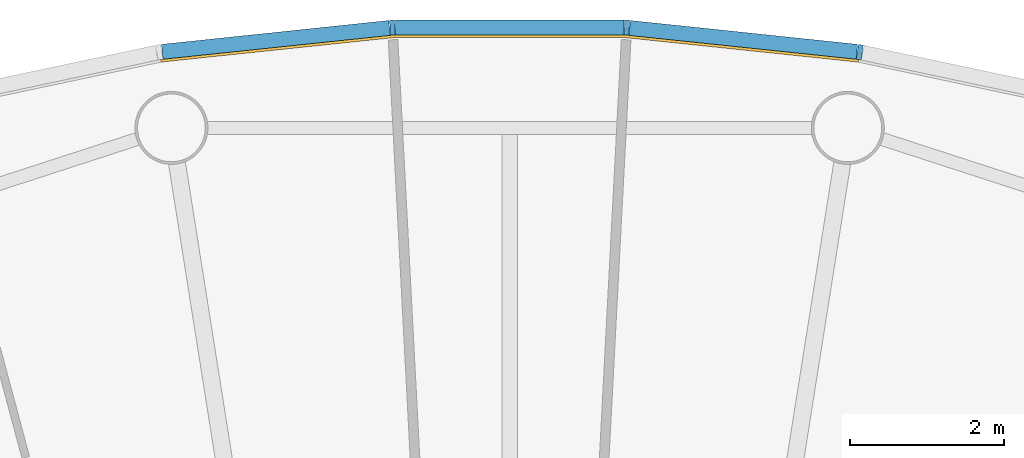
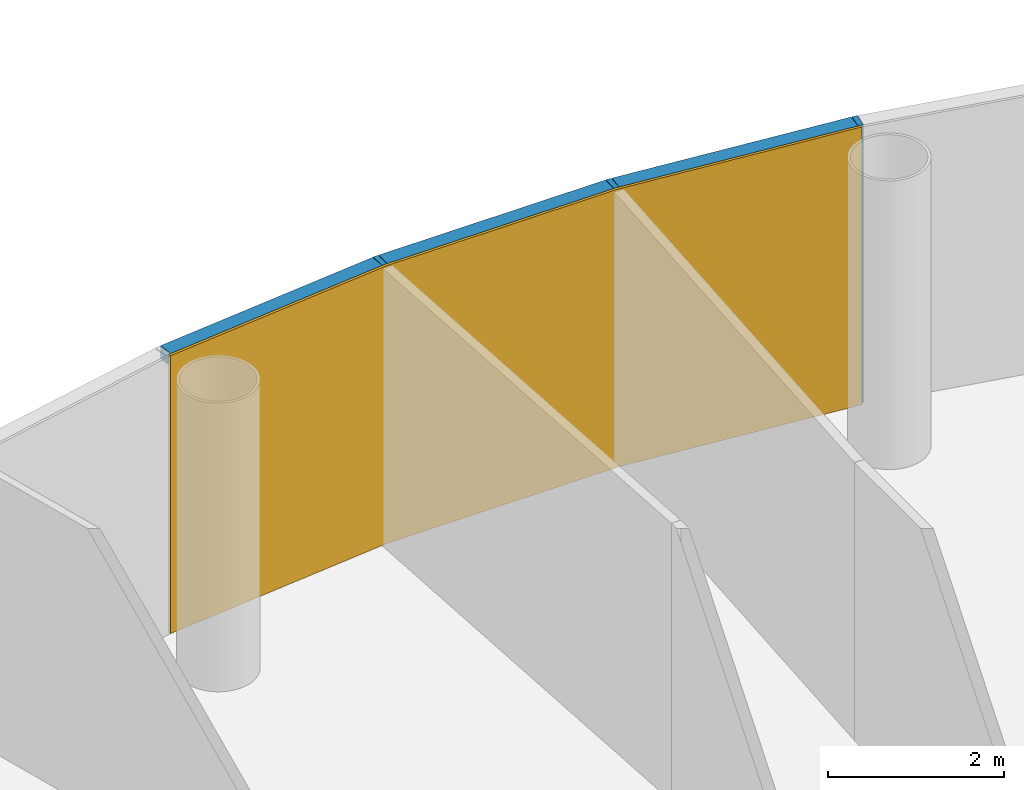
# One storey, part 11 of 13: 6 members, 1 curtain wall.
"""IFC4 building model written with IfcOpenShell, lengths in metres."""

from ifc_helpers import new_model, si_unit, direction, frame, origin, origin_2d, place, context, subcontext, project, spatial, polyline, rectangle, outline, extrude, material, layer, layer_set, material_profile, profile_set, type_object, element, aggregate, save


model = new_model("IFC4")

# Units and contexts
model_context = context("Model", 3, precision=1e-05, world=origin(), true_north=direction((0.0, 1.0)))
body_context = subcontext(model_context, "Body", "Model", "MODEL_VIEW")
ifc_project = project(units=[si_unit("LENGTHUNIT", "METRE"), si_unit("AREAUNIT", "SQUARE_METRE"), si_unit("VOLUMEUNIT", "CUBIC_METRE"), si_unit("PLANEANGLEUNIT", "RADIAN"), si_unit("MASSUNIT", "GRAM", prefix="KILO")], contexts=[model_context])

# Member
ifc_material_1 = material(Name="Anodised aluminium", Category="aluminium")
ifc_material_profile_1 = material_profile(ifc_material_1, rectangle(XDim=0.06494140625, YDim=0.195068359375, at=origin_2d()), Name="Mullion 65 x 195 mm anodised aluminium")
ifc_profile_set_1 = profile_set([ifc_material_profile_1], Name="Anodised aluminium")
member_type_1 = type_object("IfcMemberType", Name="Mullion 65 x 195 mm anodised aluminium", PredefinedType="MULLION", material=ifc_profile_set_1)
site_placement = place(None, origin())
building_placement = place(site_placement, origin())
storey_placement = place(building_placement, frame((0.0, 0.0, 314.0)))
member_1_placement = place(storey_placement, frame((94.5517578125, 108.7392578125, 0.0), z_axis=(0.0, 0.0, 1.0), x_axis=(-0.987688340595, 0.15643446504, 0.0)))
member_1 = element("IfcMember", 1, at=member_1_placement, type_object=member_type_1, Name="MULLION L72-12", PredefinedType="MULLION", context=body_context, shape_type="SweptSolid", body=[
    extrude(rectangle(XDim=0.06494140625, YDim=0.195068359375, at=origin_2d()), origin(), (0.0, 0.0, 1.0), 3.85009765625),
])

member_2_placement = place(storey_placement, frame((91.52294921875, 109.0576171875, 0.0), z_axis=(0.0, 0.0, 1.0), x_axis=(-0.998629534755, 0.052335956243, 0.0)))
member_2 = element("IfcMember", 2, at=member_2_placement, type_object=member_type_1, Name="MULLION L72-13", PredefinedType="MULLION", context=body_context, shape_type="SweptSolid", body=[
    extrude(rectangle(XDim=0.06494140625, YDim=0.195068359375, at=origin_2d()), origin(), (0.0, 0.0, 1.0), 3.85009765625),
])

member_3_placement = place(storey_placement, frame((88.47705078125, 109.0576171875, 0.0), z_axis=(0.0, 0.0, 1.0), x_axis=(-0.998629534755, -0.052335956243, 0.0)))
member_3 = element("IfcMember", 3, at=member_3_placement, type_object=member_type_1, Name="MULLION L72-14", PredefinedType="MULLION", context=body_context, shape_type="SweptSolid", body=[
    extrude(rectangle(XDim=0.06494140625, YDim=0.195068359375, at=origin_2d()), origin(), (0.0, 0.0, 1.0), 3.85009765625),
])

ifc_material_2 = material(Name="Anodised aluminium", Category="aluminium")
ifc_material_profile_2 = material_profile(ifc_material_2, rectangle(XDim=0.195068359375, YDim=0.179931640625, at=origin_2d()), Name="Transom 180 x 195 mm anodised aluminium")
ifc_profile_set_2 = profile_set([ifc_material_profile_2], Name="Anodised aluminium")
member_type_2 = type_object("IfcMemberType", Name="Transom 180 x 195 mm anodised aluminium", PredefinedType="USERDEFINED", material=ifc_profile_set_2)
member_4_placement = place(storey_placement, frame((94.514404296875, 108.743408203125, 3.760009765625), z_axis=(-0.994528397827, 0.104466577987, 0.0), x_axis=(-0.104466577987, -0.994528397827, 0.0)))
member_4 = element("IfcMember", 4, at=member_4_placement, type_object=member_type_2, Name="TRANSOM L72-12", ObjectType="TRANSOM", PredefinedType="USERDEFINED", context=body_context, shape_type="SweptSolid", body=[
    extrude(rectangle(XDim=0.195068359375, YDim=0.179931640625, at=origin_2d()), origin(), (0.0, 0.0, 1.0), 2.970458984375),
])

member_5_placement = place(storey_placement, frame((91.4853515625, 109.057861328125, 3.760009765625), z_axis=(-1.0, 0.0, 0.0), x_axis=(0.0, -1.0, 0.0)))
member_5 = element("IfcMember", 5, at=member_5_placement, type_object=member_type_2, Name="TRANSOM L72-13", ObjectType="TRANSOM", PredefinedType="USERDEFINED", context=body_context, shape_type="SweptSolid", body=[
    extrude(rectangle(XDim=0.195068359375, YDim=0.179931640625, at=origin_2d()), origin(), (0.0, 0.0, 1.0), 2.970703125),
])

member_6_placement = place(storey_placement, frame((88.439697265625, 109.0537109375, 3.760009765625), z_axis=(-0.994528397827, -0.104466577987, 0.0), x_axis=(0.104466577987, -0.994528397827, 0.0)))
member_6 = element("IfcMember", 6, at=member_6_placement, type_object=member_type_2, Name="TRANSOM L72-14", ObjectType="TRANSOM", PredefinedType="USERDEFINED", context=body_context, shape_type="SweptSolid", body=[
    extrude(rectangle(XDim=0.195068359375, YDim=0.179931640625, at=origin_2d()), origin(), (0.0, 0.0, 1.0), 2.970458984375),
])

# Site, building, storey
site = spatial("IfcSite", under=ifc_project, at=site_placement, CompositionType="ELEMENT")
building = spatial("IfcBuilding", under=site, at=building_placement, Name="Entoto Ring Tower", CompositionType="ELEMENT")
storey = spatial("IfcBuildingStorey", under=building, at=storey_placement, Name="L72", CompositionType="ELEMENT", Elevation=314.0)

# Curtain wall
ifc_material_3 = material(Name="Clear low-iron glass", Category="glass")
ifc_layer = layer(ifc_material_3, 0.033935546875)
ifc_layer_set = layer_set([ifc_layer], Name="Clear low-iron glass")
curtain_wall_type = type_object("IfcCurtainWallType", Name="Curtain wall system CW5 glazing 34 mm", PredefinedType="NOTDEFINED", material=ifc_layer_set)
curtain_wall_placement = place(storey_placement, origin())
curtain_wall = element("IfcCurtainWall", 7, at=curtain_wall_placement, inside=storey, type_object=curtain_wall_type, Name="CW5 L72-05", PredefinedType="NOTDEFINED", context=body_context, shape_type="SweptSolid", body=[
    extrude(outline(polyline([(94.53662109375, 108.64306640625), (91.517822265625, 108.960205078125), (88.482177734375, 108.960205078125), (85.46337890625, 108.64306640625), (85.46875, 108.609375), (88.484130859375, 108.92626953125), (91.515869140625, 108.92626953125), (94.53125, 108.609375), (94.53662109375, 108.64306640625)])), origin(), (0.0, 0.0, 1.0), 3.85009765625),
])

aggregate(curtain_wall, [member_1, member_2, member_3, member_4, member_5, member_6])

save(model, "model.ifc")
